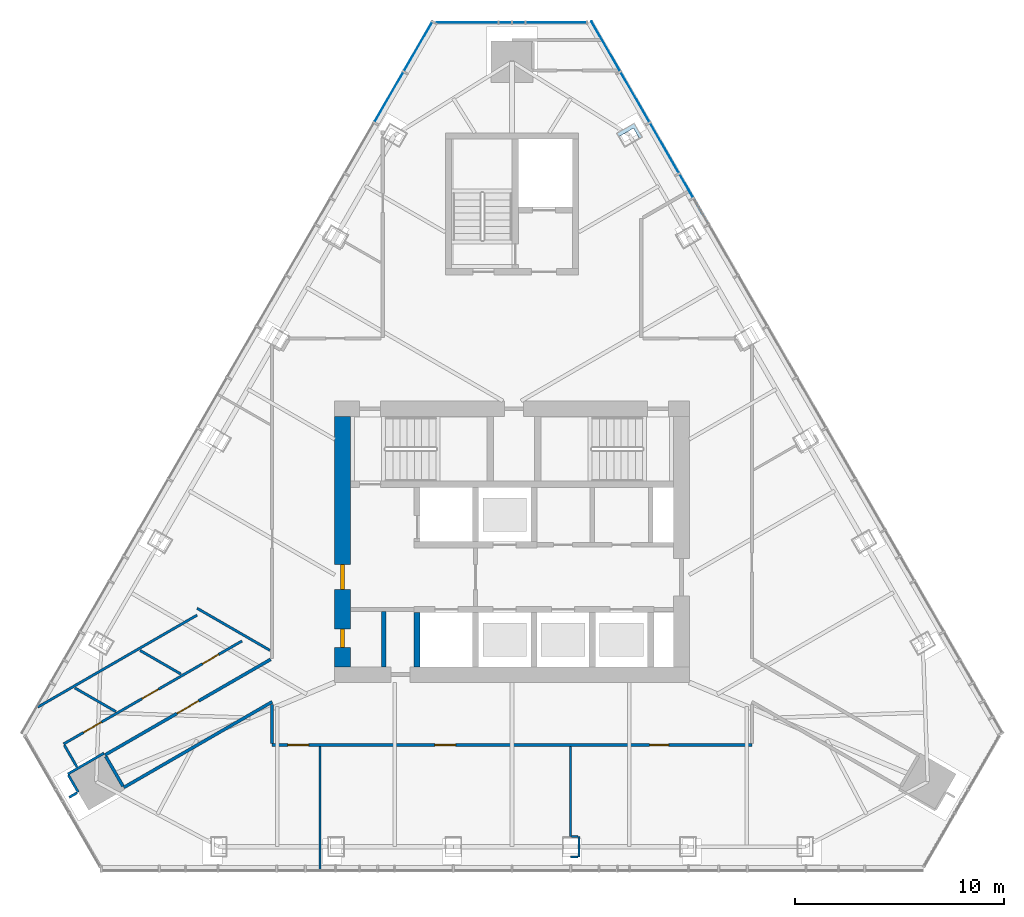
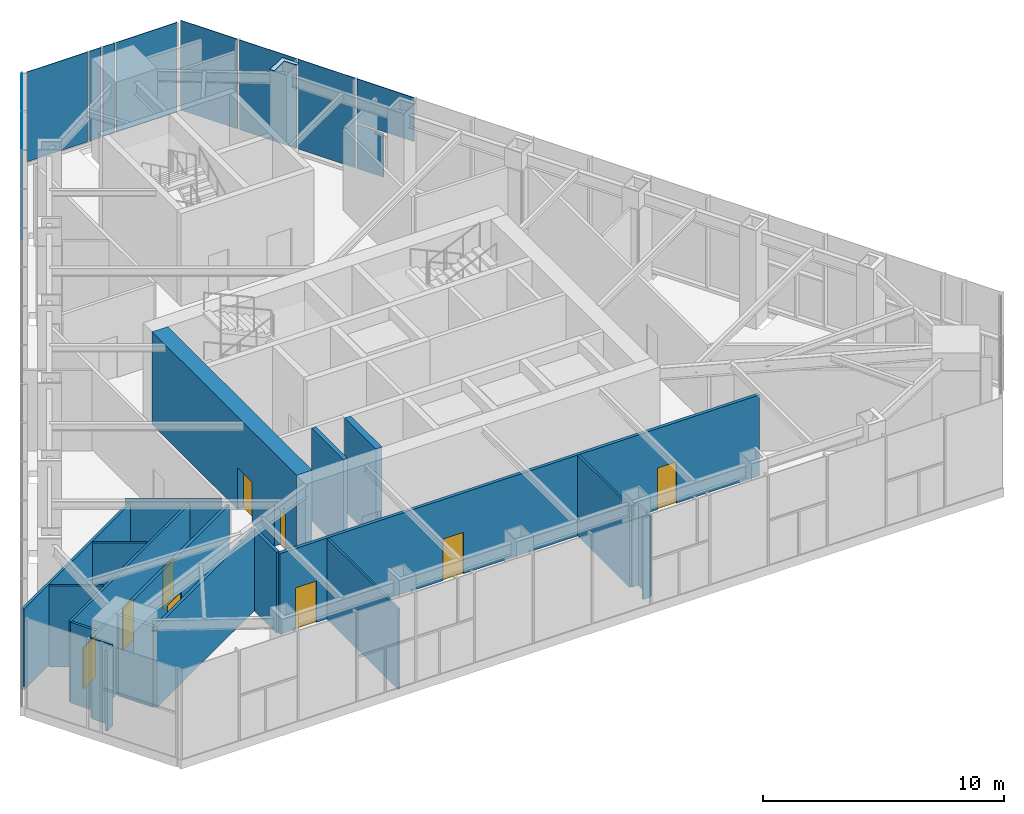
# One storey, part 11 of 17: 22 walls, 12 plates, 9 doors, 9 openings, 3 elements without a shape of their own.
"""IFC4 building model written with IfcOpenShell, lengths in metres."""

from ifc_helpers import new_model, si_unit, direction, frame, frame_2d, origin, place, context, subcontext, project, spatial, polyline, rectangle, outline, extrude, material, layer, layer_set, type_object, element, fill, aggregate, save


model = new_model("IFC4")

# Units and contexts
model_context = context("Model", 3, precision=1e-05, world=origin(), true_north=direction((0.0, 1.0)))
body_context = subcontext(model_context, "Body", "Model", "MODEL_VIEW")
ifc_project = project(units=[si_unit("LENGTHUNIT", "METRE"), si_unit("AREAUNIT", "SQUARE_METRE"), si_unit("VOLUMEUNIT", "CUBIC_METRE"), si_unit("PLANEANGLEUNIT", "RADIAN"), si_unit("MASSUNIT", "GRAM", prefix="KILO")], contexts=[model_context])

# Site, building, storey
site_placement = place(None, origin())
site = spatial("IfcSite", under=ifc_project, at=site_placement, CompositionType="ELEMENT")
building_placement = place(site_placement, origin())
building = spatial("IfcBuilding", under=site, at=building_placement, Name="Firuza Gate Tower and Library", CompositionType="ELEMENT")
storey_placement = place(building_placement, frame((0.0, 0.0, 326.60009765625)))
storey = spatial("IfcBuildingStorey", under=building, at=storey_placement, Name="L80", CompositionType="ELEMENT", Elevation=326.60009765625)

# Plate
ifc_material_1 = material(Name="Steel S355", Category="steel")
ifc_layer_1 = layer(ifc_material_1, 0.030029296875)
ifc_layer_set_1 = layer_set([ifc_layer_1], Name="Column infill plate 30 Steel S355")
plate_type_1 = type_object("IfcPlateType", Name="Column infill plate 30 Steel S355", PredefinedType="SHEET", material=ifc_layer_set_1)
plate_1_placement = place(storey_placement, frame((0.0, 0.0, 5.0)))
element("IfcPlate", 1, at=plate_1_placement, inside=storey, type_object=plate_type_1, Name="Infill plate L80:E6", PredefinedType="SHEET", context=body_context, shape_type="SweptSolid", body=[
    extrude(outline(polyline([(80.0009765625, 94.592041015625), (80.105712890625, 94.410400390625), (80.824951171875, 94.825927734375), (81.120361328125, 94.314453125), (81.266845703125, 94.399169921875), (80.866943359375, 95.092041015625), (80.0009765625, 94.592041015625)])), origin(), (0.0, 0.0, 1.0), 0.02978515625),
])

# Curtain wall, plates
ifc_material_2 = material(Name="Aluminium 6063-T6", Category="aluminium")
ifc_layer_2 = layer(ifc_material_2, 0.14990234375)
ifc_layer_set_2 = layer_set([ifc_layer_2], Name="Corner curtain wall, chamfers")
curtain_wall_type_1 = type_object("IfcCurtainWallType", Name="Corner curtain wall, chamfers", PredefinedType="NOTDEFINED", material=ifc_layer_set_2)
placement = place(storey_placement, origin())
curtain_wall_1 = element("IfcCurtainWall", 2, at=placement, inside=storey, type_object=curtain_wall_type_1, Name="CW4 L80 N corner", PredefinedType="NOTDEFINED")
ifc_material_3 = material(Name="Fritted glass", Category="glass")
ifc_layer_3 = layer(ifc_material_3, 0.030029296875)
ifc_layer_set_3 = layer_set([ifc_layer_3], Name="Fritted glass unit, corners")
plate_type_2 = type_object("IfcPlateType", Name="Fritted glass unit, corners", PredefinedType="CURTAIN_PANEL", material=ifc_layer_set_3)
plate_2_placement = place(storey_placement, frame((75.60986328125, 99.908447265625, 0.14990234375), z_axis=(0.0, 1.0, 0.0), x_axis=(-1.0, 0.0, 0.0)))
plate_2 = element("IfcPlate", 3, at=plate_2_placement, type_object=plate_type_2, Name="Glass unit", PredefinedType="CURTAIN_PANEL", context=body_context, shape_type="SweptSolid", body=[
    extrude(outline(polyline([(0.0, 0.0), (0.56982421875, 0.0), (0.56982421875, 4.550048828125), (0.0, 4.550048828125), (0.0, 0.0)])), origin(), (0.0, 0.0, -1.0), 0.030029296875),
])
plate_3_placement = place(storey_placement, frame((74.9599609375, 99.908447265625, 0.14990234375), z_axis=(0.0, 1.0, 0.0), x_axis=(-1.0, 0.0, 0.0)))
plate_3 = element("IfcPlate", 4, at=plate_3_placement, type_object=plate_type_2, Name="Glass unit", PredefinedType="CURTAIN_PANEL", context=body_context, shape_type="SweptSolid", body=[
    extrude(outline(polyline([(0.0, 0.0), (0.56982421875, 0.0), (0.56982421875, 4.550048828125), (0.0, 4.550048828125), (0.0, 0.0)])), origin(), (0.0, 0.0, -1.0), 0.030029296875),
])
ifc_material_4 = material(Name="Glazed ceramic tile")
ifc_layer_4 = layer(ifc_material_4, 0.030029296875)
ifc_layer_set_4 = layer_set([ifc_layer_4], Name="Opaque ceramic panel, corners")
plate_type_3 = type_object("IfcPlateType", Name="Opaque ceramic panel, corners", PredefinedType="CURTAIN_PANEL", material=ifc_layer_set_4)
plate_4_placement = place(storey_placement, frame((78.603271484375, 99.908447265625, 0.14990234375), z_axis=(0.0, 1.0, 0.0), x_axis=(-1.0, 0.0, 0.0)))
plate_4 = element("IfcPlate", 5, at=plate_4_placement, type_object=plate_type_3, Name="Opaque ceramic panel", PredefinedType="CURTAIN_PANEL", context=body_context, shape_type="SweptSolid", body=[
    extrude(outline(polyline([(0.0, 0.0), (2.913330078125, 0.0), (2.913330078125, 4.550048828125), (0.0, 4.550048828125), (0.0, 0.0)])), origin(), (0.0, 0.0, -1.0), 0.030029296875),
])
plate_5_placement = place(storey_placement, frame((74.31005859375, 99.908447265625, 0.14990234375), z_axis=(0.0, 1.0, 0.0), x_axis=(-1.0, 0.0, 0.0)))
plate_5 = element("IfcPlate", 6, at=plate_5_placement, type_object=plate_type_3, Name="Opaque ceramic panel", PredefinedType="CURTAIN_PANEL", context=body_context, shape_type="SweptSolid", body=[
    extrude(outline(polyline([(0.0, 0.0), (2.913330078125, 0.0), (2.913330078125, 4.550048828125), (0.0, 4.550048828125), (0.0, 0.0)])), origin(), (0.0, 0.0, -1.0), 0.030029296875),
])
aggregate(curtain_wall_1, [plate_4, plate_2, plate_3, plate_5])

ifc_material_5 = material(Name="Aluminium 6063-T6", Category="aluminium")
ifc_layer_5 = layer(ifc_material_5, 0.14990234375)
ifc_layer_set_5 = layer_set([ifc_layer_5], Name="Unitised curtain wall, residences")
curtain_wall_type_2 = type_object("IfcCurtainWallType", Name="Unitised curtain wall, residences", PredefinedType="NOTDEFINED", material=ifc_layer_set_5)
curtain_wall_2 = element("IfcCurtainWall", 7, at=placement, inside=storey, type_object=curtain_wall_type_2, Name="CW3 L80 E face", PredefinedType="NOTDEFINED")
ifc_material_6 = material(Name="Glazed ceramic tile")
ifc_layer_6 = layer(ifc_material_6, 0.030029296875)
ifc_layer_set_6 = layer_set([ifc_layer_6], Name="Opaque ceramic panel, residences")
plate_type_4 = type_object("IfcPlateType", Name="Opaque ceramic panel, residences", PredefinedType="CURTAIN_PANEL", material=ifc_layer_set_6)
plate_6_placement = place(storey_placement, frame((83.694091796875, 91.515380859375, 0.14990234375), z_axis=(0.865973168852, 0.500090462645, 0.0), x_axis=(-0.500090462645, 0.865973168852, 0.0)))
plate_6 = element("IfcPlate", 8, at=plate_6_placement, type_object=plate_type_4, Name="Opaque ceramic panel", PredefinedType="CURTAIN_PANEL", context=body_context, shape_type="SweptSolid", body=[
    extrude(outline(polyline([(0.0, 0.0), (1.2824828101748031, 0.0), (1.2824828101748031, 2.235107421875), (0.0, 2.235107421875), (0.0, 0.0)])), origin(), (0.0, 0.0, -1.0), 0.030029296875),
])
plate_7_placement = place(storey_placement, frame((84.422607421875, 90.25341796875, 2.46484375), z_axis=(0.866013438122, 0.500020724563, 0.0), x_axis=(-0.500020724563, 0.866013438122, 0.0)))
plate_7 = element("IfcPlate", 9, at=plate_7_placement, type_object=plate_type_4, Name="Opaque ceramic panel", PredefinedType="CURTAIN_PANEL", context=body_context, shape_type="SweptSolid", body=[
    extrude(outline(polyline([(0.0, 0.0), (2.7396325383765565, 0.0), (2.7396325383765565, 2.235107421875), (0.0, 2.235107421875), (0.0, 0.0)])), origin(), (0.0, 0.0, -1.0), 0.030029296875),
])
plate_8_placement = place(storey_placement, frame((83.0126953125, 92.695068359375, 0.14990234375), z_axis=(0.866052025982, 0.499953886166, 0.0), x_axis=(-0.499953886166, 0.866052025982, 0.0)))
plate_8 = element("IfcPlate", 10, at=plate_8_placement, type_object=plate_type_4, Name="Opaque ceramic panel", PredefinedType="CURTAIN_PANEL", context=body_context, shape_type="SweptSolid", body=[
    extrude(outline(polyline([(0.0, 0.0), (2.739510471163151, 0.0), (2.739510471163151, 4.550048828125), (0.0, 4.550048828125), (0.0, 0.0)])), origin(), (0.0, 0.0, -1.0), 0.030029296875),
])
plate_9_placement = place(storey_placement, frame((81.60302734375, 95.136962890625, 0.14990234375), z_axis=(0.866013438122, 0.500020724563, 0.0), x_axis=(-0.500020724563, 0.866013438122, 0.0)))
plate_9 = element("IfcPlate", 11, at=plate_9_placement, type_object=plate_type_4, Name="Opaque ceramic panel", PredefinedType="CURTAIN_PANEL", context=body_context, shape_type="SweptSolid", body=[
    extrude(outline(polyline([(0.0, 0.0), (2.739632538376557, 0.0), (2.739632538376557, 4.550048828125001), (0.0, 4.550048828125001), (0.0, 0.0)])), origin(), (0.0, 0.0, -1.0), 0.030029296875),
])
plate_10_placement = place(storey_placement, frame((80.193359375, 97.57861328125, 0.14990234375), z_axis=(0.866013438122, 0.500020724563, 0.0), x_axis=(-0.500020724563, 0.866013438122, 0.0)))
plate_10 = element("IfcPlate", 12, at=plate_10_placement, type_object=plate_type_4, Name="Opaque ceramic panel", PredefinedType="CURTAIN_PANEL", context=body_context, shape_type="SweptSolid", body=[
    extrude(outline(polyline([(0.0, 0.0), (2.739632538376557, 0.0), (2.739632538376557, 4.550048828125001), (0.0, 4.550048828125001), (0.0, 0.0)])), origin(), (0.0, 0.0, -1.0), 0.030029296875),
])
aggregate(curtain_wall_2, [plate_6, plate_7, plate_8, plate_9, plate_10])

curtain_wall_3 = element("IfcCurtainWall", 13, at=placement, inside=storey, type_object=curtain_wall_type_2, Name="CW3 L80 W face", PredefinedType="NOTDEFINED")
plate_11_placement = place(storey_placement, frame((71.176513671875, 99.951171875, 0.14990234375), z_axis=(-0.866013438122, 0.500020724563, 0.0), x_axis=(-0.500020724563, -0.866013438122, 0.0)))
plate_11 = element("IfcPlate", 14, at=plate_11_placement, type_object=plate_type_4, Name="Opaque ceramic panel", PredefinedType="CURTAIN_PANEL", context=body_context, shape_type="SweptSolid", body=[
    extrude(outline(polyline([(0.0, 0.0), (2.739632538376557, 0.0), (2.739632538376557, 4.550048828125001), (0.0, 4.550048828125001), (0.0, 0.0)])), origin(), (0.0, 0.0, -1.0), 0.030029296875),
])
plate_12_placement = place(storey_placement, frame((69.766845703125, 97.509521484375, 0.14990234375), z_axis=(-0.866013438122, 0.500020724563, 0.0), x_axis=(-0.500020724563, -0.866013438122, 0.0)))
plate_12 = element("IfcPlate", 15, at=plate_12_placement, type_object=plate_type_4, Name="Opaque ceramic panel", PredefinedType="CURTAIN_PANEL", context=body_context, shape_type="SweptSolid", body=[
    extrude(outline(polyline([(0.0, 0.0), (2.739632538376557, 0.0), (2.739632538376557, 4.550048828125001), (0.0, 4.550048828125001), (0.0, 0.0)])), origin(), (0.0, 0.0, -1.0), 0.030029296875),
])
aggregate(curtain_wall_3, [plate_11, plate_12])

# Walls
ifc_material_7 = material(Name="Plasterboard on steel studs", Category="steel")
ifc_layer_7 = layer(ifc_material_7, 0.199951171875)
ifc_layer_set_7 = layer_set([ifc_layer_7], Name="Core partition 200 EI 120")
wall_type_1 = type_object("IfcWallType", Name="Core partition 200 EI 120", PredefinedType="PARTITIONING", material=ifc_layer_set_7)
wall_1_placement = place(storey_placement, frame((68.85009765625, 69.0, 0.0), z_axis=(0.0, 0.0, 1.0), x_axis=(0.0, 1.0, 0.0)))
element("IfcWall", 16, at=wall_1_placement, inside=storey, type_object=wall_type_1, Name="Core partition L80 4", PredefinedType="PARTITIONING", context=body_context, shape_type="SweptSolid", body=[
    extrude(rectangle(XDim=2.64990234375, YDim=0.199951171875, at=frame_2d((1.324951171875, 0.0))), origin(), (0.0, 0.0, 1.0), 4.699951171875),
])
ifc_material_8 = material(Name="Concrete C60/75", Category="concrete")
ifc_layer_8 = layer(ifc_material_8, 0.300048828125)
ifc_layer_set_8 = layer_set([ifc_layer_8], Name="Core wall 300 C60/75")
wall_type_2 = type_object("IfcWallType", Name="Core wall 300 C60/75", PredefinedType="SHEAR", material=ifc_layer_set_8)
wall_2_placement = place(storey_placement, frame((70.449951171875, 69.0, 0.0), z_axis=(0.0, 0.0, 1.0), x_axis=(0.0, 1.0, 0.0)))
element("IfcWall", 17, at=wall_2_placement, inside=storey, type_object=wall_type_2, Name="Core wall L80 7", PredefinedType="SHEAR", context=body_context, shape_type="SweptSolid", body=[
    extrude(rectangle(XDim=2.60009765625, YDim=0.300048828125, at=frame_2d((1.300048828125, 0.0))), origin(), (0.0, 0.0, 1.0), 4.699951171875),
])

# Wall, openings, doors
ifc_material_9 = material(Name="Concrete C60/75", Category="concrete")
ifc_layer_9 = layer(ifc_material_9, 0.75)
ifc_layer_set_9 = layer_set([ifc_layer_9], Name="Core wall 750 C60/75")
wall_type_3 = type_object("IfcWallType", Name="Core wall 750 C60/75", PredefinedType="SHEAR", material=ifc_layer_set_9)
wall_3_placement = place(storey_placement, frame((66.875, 69.0, 0.0), z_axis=(0.0, 0.0, 1.0), x_axis=(0.0, 1.0, 0.0)))
wall_3 = element("IfcWall", 18, at=wall_3_placement, inside=storey, type_object=wall_type_3, Name="Core wall L80 3", PredefinedType="SHEAR", context=body_context, shape_type="SweptSolid", body=[
    extrude(rectangle(XDim=12.0, YDim=0.75, at=frame_2d((6.0, 0.0))), origin(), (0.0, 0.0, 1.0), 4.699951171875),
])
opening_1_placement = place(wall_3_placement, frame((3.699951171875, 0.0, 0.0)))
opening_1 = element("IfcOpeningElement", 19, at=opening_1_placement, cuts=wall_3, Name="Opening L80-K15", PredefinedType="OPENING", context=body_context, shape_type="SweptSolid", body=[
    extrude(rectangle(XDim=1.199951171875, YDim=2.10009765625, at=frame_2d((0.60009765625, 1.050048828125))), frame((0.0, 0.385009765625, 0.0), z_axis=(0.0, -1.0, 0.0), x_axis=(1.0, 0.0, 0.0)), (0.0, 0.0, 1.0), 0.77001953125),
])
opening_2_placement = place(wall_3_placement, frame((0.925048828125, 0.0, 0.0)))
opening_2 = element("IfcOpeningElement", 20, at=opening_2_placement, cuts=wall_3, Name="Opening L80-K17", PredefinedType="OPENING", context=body_context, shape_type="SweptSolid", body=[
    extrude(rectangle(XDim=0.89990234375, YDim=2.10009765625, at=frame_2d((0.449951171875, 1.050048828125))), frame((0.0, 0.385009765625, 0.0), z_axis=(0.0, -1.0, 0.0), x_axis=(1.0, 0.0, 0.0)), (0.0, 0.0, 1.0), 0.77001953125),
])
ifc_material_10 = material(Name="Steel", Category="steel")
door_type_1 = type_object("IfcDoorType", Name="Fire door 1200x2100 FD90S", OperationType="NOTDEFINED", PredefinedType="DOOR", material=ifc_material_10)
door_1_placement = place(opening_1_placement, origin())
door_1 = element("IfcDoor", 21, at=door_1_placement, inside=storey, type_object=door_type_1, Name="Door L80-K15", OperationType="SINGLE_SWING_RIGHT", OverallHeight=2.10009765625, OverallWidth=1.199951171875, PredefinedType="DOOR", context=body_context, shape_type="SweptSolid", body=[
    extrude(rectangle(XDim=1.199951171875, YDim=2.10009765625, at=frame_2d((0.60009765625, 1.050048828125))), frame((0.0, 0.094970703125, 0.0), z_axis=(0.0, -1.0, 0.0), x_axis=(1.0, 0.0, 0.0)), (0.0, 0.0, 1.0), 0.18994140625),
])
fill(opening_1, door_1)
ifc_material_11 = material(Name="Steel", Category="steel")
door_type_2 = type_object("IfcDoorType", Name="Fire door 900x2100 FD30S", OperationType="NOTDEFINED", PredefinedType="DOOR", material=ifc_material_11)
door_2_placement = place(opening_2_placement, origin())
door_2 = element("IfcDoor", 22, at=door_2_placement, inside=storey, type_object=door_type_2, Name="Door L80-K17", OperationType="SINGLE_SWING_RIGHT", OverallHeight=2.10009765625, OverallWidth=0.89990234375, PredefinedType="DOOR", context=body_context, shape_type="SweptSolid", body=[
    extrude(rectangle(XDim=0.89990234375, YDim=2.10009765625, at=frame_2d((0.449951171875, 1.050048828125))), frame((0.0, 0.094970703125, 0.0), z_axis=(0.0, -1.0, 0.0), x_axis=(1.0, 0.0, 0.0)), (0.0, 0.0, 1.0), 0.18994140625),
])
fill(opening_2, door_2)

ifc_material_12 = material(Name="Gypsum board partition")
ifc_layer_10 = layer(ifc_material_12, 0.14990234375)
ifc_layer_set_10 = layer_set([ifc_layer_10], Name="Corridor wall 150 double board on steel studs")
wall_type_4 = type_object("IfcWallType", Name="Corridor wall 150 double board on steel studs", PredefinedType="PARTITIONING", material=ifc_layer_set_10)
wall_4_placement = place(storey_placement, frame((86.49951171875, 65.25, 0.0), z_axis=(0.0, 0.0, 1.0), x_axis=(-1.0, 0.0, 0.0)))
wall_4 = element("IfcWall", 23, at=wall_4_placement, inside=storey, type_object=wall_type_4, Name="f:L80:w002", PredefinedType="PARTITIONING", context=body_context, shape_type="SweptSolid", body=[
    extrude(rectangle(XDim=22.9990234375, YDim=0.14990234375, at=frame_2d((11.49951171875, 0.0))), origin(), (0.0, 0.0, 1.0), 4.099853515625),
])
opening_3_placement = place(wall_4_placement, frame((3.99462890625, 0.0, 0.0)))
opening_3 = element("IfcOpeningElement", 24, at=opening_3_placement, cuts=wall_4, Name="Opening L80-01", PredefinedType="OPENING", context=body_context, shape_type="SweptSolid", body=[
    extrude(rectangle(XDim=0.89990234375, YDim=2.10009765625, at=frame_2d((0.449951171875, 1.050048828125))), frame((0.0, 0.0849609375, 0.0), z_axis=(0.0, -1.0, 0.0), x_axis=(1.0, 0.0, 0.0)), (0.0, 0.0, 1.0), 0.169921875),
])
opening_4_placement = place(wall_4_placement, frame((14.19775390625, 0.0, 0.0)))
opening_4 = element("IfcOpeningElement", 25, at=opening_4_placement, cuts=wall_4, Name="Opening L80-02", PredefinedType="OPENING", context=body_context, shape_type="SweptSolid", body=[
    extrude(rectangle(XDim=1.0, YDim=2.10009765625, at=frame_2d((0.5, 1.050048828125))), frame((0.0, 0.0849609375, 0.0), z_axis=(0.0, -1.0, 0.0), x_axis=(1.0, 0.0, 0.0)), (0.0, 0.0, 1.0), 0.169921875),
])
opening_5_placement = place(wall_4_placement, frame((21.252685546875, 0.0, 0.0)))
opening_5 = element("IfcOpeningElement", 26, at=opening_5_placement, cuts=wall_4, Name="Opening L80-03", PredefinedType="OPENING", context=body_context, shape_type="SweptSolid", body=[
    extrude(rectangle(XDim=1.0, YDim=2.10009765625, at=frame_2d((0.5, 1.050048828125))), frame((0.0, 0.0849609375, 0.0), z_axis=(0.0, -1.0, 0.0), x_axis=(1.0, 0.0, 0.0)), (0.0, 0.0, 1.0), 0.169921875),
])
ifc_material_13 = material(Name="Steel door and timber leaf", Category="steel")
door_type_3 = type_object("IfcDoorType", Name="Fire door 1000 x 2100 steel frame, timber leaf", OperationType="NOTDEFINED", PredefinedType="DOOR", material=ifc_material_13)
door_3_placement = place(opening_4_placement, origin())
door_3 = element("IfcDoor", 27, at=door_3_placement, inside=storey, type_object=door_type_3, Name="f:L80:d002", OperationType="SINGLE_SWING_LEFT", OverallHeight=2.10009765625, OverallWidth=1.0, PredefinedType="DOOR", context=body_context, shape_type="SweptSolid", body=[
    extrude(rectangle(XDim=1.0, YDim=2.10009765625, at=frame_2d((0.5, 1.050048828125))), frame((0.0, 0.02490234375, 0.0), z_axis=(0.0, -1.0, 0.0), x_axis=(1.0, 0.0, 0.0)), (0.0, 0.0, 1.0), 0.050048828125),
])
fill(opening_4, door_3)
door_4_placement = place(opening_5_placement, origin())
door_4 = element("IfcDoor", 28, at=door_4_placement, inside=storey, type_object=door_type_3, Name="f:L80:d003", OperationType="SINGLE_SWING_RIGHT", OverallHeight=2.10009765625, OverallWidth=1.0, PredefinedType="DOOR", context=body_context, shape_type="SweptSolid", body=[
    extrude(rectangle(XDim=1.0, YDim=2.10009765625, at=frame_2d((0.5, 1.050048828125))), frame((0.0, 0.02490234375, 0.0), z_axis=(0.0, -1.0, 0.0), x_axis=(1.0, 0.0, 0.0)), (0.0, 0.0, 1.0), 0.050048828125),
])
fill(opening_5, door_4)
ifc_material_14 = material(Name="Steel door and timber leaf", Category="steel")
door_type_4 = type_object("IfcDoorType", Name="Fire door 900 x 2100 steel frame, timber leaf", OperationType="NOTDEFINED", PredefinedType="DOOR", material=ifc_material_14)
door_5_placement = place(opening_3_placement, origin())
door_5 = element("IfcDoor", 29, at=door_5_placement, inside=storey, type_object=door_type_4, Name="f:L80:d001", OperationType="SINGLE_SWING_RIGHT", OverallHeight=2.10009765625, OverallWidth=0.89990234375, PredefinedType="DOOR", context=body_context, shape_type="SweptSolid", body=[
    extrude(rectangle(XDim=0.89990234375, YDim=2.10009765625, at=frame_2d((0.449951171875, 1.050048828125))), frame((0.0, 0.02490234375, 0.0), z_axis=(0.0, -1.0, 0.0), x_axis=(1.0, 0.0, 0.0)), (0.0, 0.0, 1.0), 0.050048828125),
])
fill(opening_3, door_5)

# Wall
wall_5_placement = place(storey_placement, frame((56.3818359375, 63.211669921875, 0.0), z_axis=(0.0, 0.0, 1.0), x_axis=(0.866028290602, 0.499994999852, 0.0)))
element("IfcWall", 30, at=wall_5_placement, inside=storey, type_object=wall_type_4, Name="f:L80:w009", PredefinedType="PARTITIONING", context=body_context, shape_type="SweptSolid", body=[
    extrude(rectangle(XDim=8.21923828125, YDim=0.14990234375, at=frame_2d((4.109619140625, 0.0))), origin(), (0.0, 0.0, 1.0), 4.096923828125),
])

# Wall, opening, door
wall_6_placement = place(storey_placement, frame((55.4814453125, 64.770263671875, 0.0), z_axis=(0.0, 0.0, 1.0), x_axis=(0.866028235655, 0.499995095024, 0.0)))
wall_6 = element("IfcWall", 31, at=wall_6_placement, inside=storey, type_object=wall_type_4, Name="f:L80:w011", PredefinedType="PARTITIONING", context=body_context, shape_type="SweptSolid", body=[
    extrude(rectangle(XDim=9.17236328125, YDim=0.14990234375, at=frame_2d((4.586181640625, 0.0))), origin(), (0.0, 0.0, 1.0), 4.099853515625),
])
opening_6_placement = place(wall_6_placement, frame((3.986083984375, 0.0, 0.0)))
opening_6 = element("IfcOpeningElement", 32, at=opening_6_placement, cuts=wall_6, Name="Opening L80-07", PredefinedType="OPENING", context=body_context, shape_type="SweptSolid", body=[
    extrude(rectangle(XDim=1.199951171875, YDim=2.10009765625, at=frame_2d((0.60009765625, 1.050048828125))), frame((0.0, 0.0849609375, 0.0), z_axis=(0.0, -1.0, 0.0), x_axis=(1.0, 0.0, 0.0)), (0.0, 0.0, 1.0), 0.169921875),
])
ifc_material_15 = material(Name="Steel door and timber leaf", Category="steel")
door_type_5 = type_object("IfcDoorType", Name="Fire door 1200 x 2100 steel frame, double leaf", OperationType="NOTDEFINED", PredefinedType="DOOR", material=ifc_material_15)
door_6_placement = place(opening_6_placement, origin())
door_6 = element("IfcDoor", 33, at=door_6_placement, inside=storey, type_object=door_type_5, Name="f:L80:d007", OperationType="DOUBLE_DOOR_SINGLE_SWING", OverallHeight=2.10009765625, OverallWidth=1.199951171875, PredefinedType="DOOR", context=body_context, shape_type="SweptSolid", body=[
    extrude(rectangle(XDim=1.199951171875, YDim=2.10009765625, at=frame_2d((0.60009765625, 1.050048828125))), frame((0.0, 0.02490234375, 0.0), z_axis=(0.0, -1.0, 0.0), x_axis=(1.0, 0.0, 0.0)), (0.0, 0.0, 1.0), 0.050048828125),
])
fill(opening_6, door_6)

# Walls
wall_7_placement = place(storey_placement, frame((63.5, 65.325439453125, 0.0), z_axis=(0.0, 0.0, 1.0), x_axis=(0.0, 1.0, 0.0)))
element("IfcWall", 34, at=wall_7_placement, inside=storey, type_object=wall_type_4, Name="f:L80:w031", PredefinedType="PARTITIONING", context=body_context, shape_type="SweptSolid", body=[
    extrude(rectangle(XDim=1.859130859375, YDim=0.14990234375, at=frame_2d((0.9296875, 0.0))), origin(), (0.0, 0.0, 1.0), 4.096923828125),
])
wall_8_placement = place(storey_placement, frame((56.34423828125, 63.277099609375, 0.0), z_axis=(0.0, 0.0, 1.0), x_axis=(-0.500035172766, 0.866005095826, 0.0)))
element("IfcWall", 35, at=wall_8_placement, inside=storey, type_object=wall_type_4, Name="f:L80:w036", PredefinedType="PARTITIONING", context=body_context, shape_type="SweptSolid", body=[
    extrude(rectangle(XDim=1.64453125, YDim=0.14990234375, at=frame_2d((0.822265625, 0.0))), origin(), (0.0, 0.0, 1.0), 4.096923828125),
])
ifc_material_16 = material(Name="Gypsum board partition")
ifc_layer_11 = layer(ifc_material_16, 0.10009765625)
ifc_layer_set_11 = layer_set([ifc_layer_11], Name="Partition 100 gypsum board on steel studs")
wall_type_5 = type_object("IfcWallType", Name="Partition 100 gypsum board on steel studs", PredefinedType="PARTITIONING", material=ifc_layer_set_11)
wall_9_placement = place(storey_placement, frame((77.813232421875, 59.873046875, 0.0), z_axis=(0.0, 0.0, 1.0), x_axis=(1.0, 0.0, 0.0)))
element("IfcWall", 36, at=wall_9_placement, inside=storey, type_object=wall_type_5, Name="f:L80:w000", PredefinedType="PARTITIONING", context=body_context, shape_type="SweptSolid", body=[
    extrude(rectangle(XDim=0.349609375, YDim=0.10009765625, at=frame_2d((0.1748046875, 0.0))), origin(), (0.0, 0.0, 1.0), 4.099853515625),
])
wall_10_placement = place(storey_placement, frame((77.86328125, 60.873046875, 0.0), z_axis=(0.0, 0.0, 1.0), x_axis=(1.0, 0.0, 0.0)))
element("IfcWall", 37, at=wall_10_placement, inside=storey, type_object=wall_type_5, Name="f:L80:w001", PredefinedType="PARTITIONING", context=body_context, shape_type="SweptSolid", body=[
    extrude(rectangle(XDim=0.299560546875, YDim=0.10009765625, at=frame_2d((0.14990234375, 0.0))), origin(), (0.0, 0.0, 1.0), 4.099853515625),
])
wall_11_placement = place(storey_placement, frame((78.212890625, 59.87353515625, 0.0), z_axis=(0.0, 0.0, 1.0), x_axis=(0.0, 1.0, 0.0)))
element("IfcWall", 38, at=wall_11_placement, inside=storey, type_object=wall_type_5, Name="f:L80:w025", PredefinedType="PARTITIONING", context=body_context, shape_type="SweptSolid", body=[
    extrude(rectangle(XDim=0.9990234375, YDim=0.10009765625, at=frame_2d((0.49951171875, 0.0))), origin(), (0.0, 0.0, 1.0), 4.087890625),
])
wall_12_placement = place(storey_placement, frame((77.81298828125, 60.873046875, 0.0), z_axis=(0.0, 0.0, 1.0), x_axis=(0.0, 1.0, 0.0)))
element("IfcWall", 39, at=wall_12_placement, inside=storey, type_object=wall_type_5, Name="f:L80:w026", PredefinedType="PARTITIONING", context=body_context, shape_type="SweptSolid", body=[
    extrude(rectangle(XDim=4.302001953125, YDim=0.10009765625, at=frame_2d((2.15087890625, 0.0))), origin(), (0.0, 0.0, 1.0), 4.099853515625),
])
wall_13_placement = place(storey_placement, frame((65.7900390625, 59.273193359375, 0.0), z_axis=(0.0, 0.0, 1.0), x_axis=(0.0, 1.0, 0.0)))
element("IfcWall", 40, at=wall_13_placement, inside=storey, type_object=wall_type_5, Name="f:L80:w030", PredefinedType="PARTITIONING", context=body_context, shape_type="SweptSolid", body=[
    extrude(rectangle(XDim=5.90185546875, YDim=0.10009765625, at=frame_2d((2.950927734375, 0.0))), origin(), (0.0, 0.0, 1.0), 4.087890625),
])
ifc_material_17 = material(Name="Gypsum board partition")
ifc_layer_12 = layer(ifc_material_17, 0.1201171875)
ifc_layer_set_12 = layer_set([ifc_layer_12], Name="Wet-area partition 120 moisture-resistant board")
wall_type_6 = type_object("IfcWallType", Name="Wet-area partition 120 moisture-resistant board", PredefinedType="PARTITIONING", material=ifc_layer_set_12)
wall_14_placement = place(storey_placement, frame((53.766357421875, 62.740966796875, 0.0), z_axis=(0.0, 0.0, 1.0), x_axis=(0.866083962871, 0.499898558967, 0.0)))
element("IfcWall", 41, at=wall_14_placement, inside=storey, type_object=wall_type_6, Name="f:L80:w010", PredefinedType="PARTITIONING", context=body_context, shape_type="SweptSolid", body=[
    extrude(rectangle(XDim=0.43994140625, YDim=0.1201171875, at=frame_2d((0.219970703125, 0.0))), origin(), (0.0, 0.0, 1.0), 4.099853515625),
])
wall_15_placement = place(storey_placement, frame((53.699462890625, 63.85693359375, 0.0), z_axis=(0.0, 0.0, 1.0), x_axis=(0.866010750942, 0.50002537861, 0.0)))
element("IfcWall", 42, at=wall_15_placement, inside=storey, type_object=wall_type_6, Name="f:L80:w012", PredefinedType="PARTITIONING", context=body_context, shape_type="SweptSolid", body=[
    extrude(rectangle(XDim=2.0, YDim=0.1201171875, at=frame_2d((1.0, 0.0))), origin(), (0.0, 0.0, 1.0), 4.099853515625),
])

# Wall, openings, doors
wall_16_placement = place(storey_placement, frame((62.050048828125, 70.237060546875, 0.0), z_axis=(0.0, 0.0, 1.0), x_axis=(-0.866021674193, -0.500006459787, 0.0)))
wall_16 = element("IfcWall", 43, at=wall_16_placement, inside=storey, type_object=wall_type_6, Name="f:L80:w013", PredefinedType="PARTITIONING", context=body_context, shape_type="SweptSolid", body=[
    extrude(rectangle(XDim=9.871826171875, YDim=0.1201171875, at=frame_2d((4.93603515625, 0.0))), origin(), (0.0, 0.0, 1.0), 4.099853515625),
])
opening_7_placement = place(wall_16_placement, frame((1.28857421875, 0.0, 0.0)))
opening_7 = element("IfcOpeningElement", 44, at=opening_7_placement, cuts=wall_16, Name="Opening L80-08", PredefinedType="OPENING", context=body_context, shape_type="SweptSolid", body=[
    extrude(rectangle(XDim=0.89990234375, YDim=2.10009765625, at=frame_2d((0.449951171875, 1.050048828125))), frame((0.0, 0.070068359375, 0.0), z_axis=(0.0, -1.0, 0.0), x_axis=(1.0, 0.0, 0.0)), (0.0, 0.0, 1.0), 0.14013671875),
])
opening_8_placement = place(wall_16_placement, frame((4.624755859375, 0.0, 0.0)))
opening_8 = element("IfcOpeningElement", 45, at=opening_8_placement, cuts=wall_16, Name="Opening L80-09", PredefinedType="OPENING", context=body_context, shape_type="SweptSolid", body=[
    extrude(rectangle(XDim=0.89990234375, YDim=2.10009765625, at=frame_2d((0.449951171875, 1.050048828125))), frame((0.0, 0.070068359375, 0.0), z_axis=(0.0, -1.0, 0.0), x_axis=(1.0, 0.0, 0.0)), (0.0, 0.0, 1.0), 0.14013671875),
])
opening_9_placement = place(wall_16_placement, frame((7.772216796875, 0.0, 0.0)))
opening_9 = element("IfcOpeningElement", 46, at=opening_9_placement, cuts=wall_16, Name="Opening L80-10", PredefinedType="OPENING", context=body_context, shape_type="SweptSolid", body=[
    extrude(rectangle(XDim=1.0, YDim=2.10009765625, at=frame_2d((0.5, 1.050048828125))), frame((0.0, 0.070068359375, 0.0), z_axis=(0.0, -1.0, 0.0), x_axis=(1.0, 0.0, 0.0)), (0.0, 0.0, 1.0), 0.14013671875),
])
ifc_material_18 = material(Name="Timber door", Category="wood")
door_type_6 = type_object("IfcDoorType", Name="Door 1000 x 2100 timber leaf", OperationType="NOTDEFINED", PredefinedType="DOOR", material=ifc_material_18)
door_7_placement = place(opening_9_placement, origin())
door_7 = element("IfcDoor", 47, at=door_7_placement, inside=storey, type_object=door_type_6, Name="f:L80:d010", OperationType="SINGLE_SWING_RIGHT", OverallHeight=2.10009765625, OverallWidth=1.0, PredefinedType="DOOR", context=body_context, shape_type="SweptSolid", body=[
    extrude(rectangle(XDim=1.0, YDim=2.10009765625, at=frame_2d((0.5, 1.050048828125))), frame((0.0, 0.02490234375, 0.0), z_axis=(0.0, -1.0, 0.0), x_axis=(1.0, 0.0, 0.0)), (0.0, 0.0, 1.0), 0.050048828125),
])
fill(opening_9, door_7)
ifc_material_19 = material(Name="Timber door", Category="wood")
door_type_7 = type_object("IfcDoorType", Name="Door 900 x 2100 timber leaf", OperationType="NOTDEFINED", PredefinedType="DOOR", material=ifc_material_19)
door_8_placement = place(opening_7_placement, origin())
door_8 = element("IfcDoor", 48, at=door_8_placement, inside=storey, type_object=door_type_7, Name="f:L80:d008", OperationType="SINGLE_SWING_RIGHT", OverallHeight=2.10009765625, OverallWidth=0.89990234375, PredefinedType="DOOR", context=body_context, shape_type="SweptSolid", body=[
    extrude(rectangle(XDim=0.89990234375, YDim=2.10009765625, at=frame_2d((0.449951171875, 1.050048828125))), frame((0.0, 0.02490234375, 0.0), z_axis=(0.0, -1.0, 0.0), x_axis=(1.0, 0.0, 0.0)), (0.0, 0.0, 1.0), 0.050048828125),
])
fill(opening_7, door_8)
door_9_placement = place(opening_8_placement, origin())
door_9 = element("IfcDoor", 49, at=door_9_placement, inside=storey, type_object=door_type_7, Name="f:L80:d009", OperationType="SINGLE_SWING_LEFT", OverallHeight=2.10009765625, OverallWidth=0.89990234375, PredefinedType="DOOR", context=body_context, shape_type="SweptSolid", body=[
    extrude(rectangle(XDim=0.89990234375, YDim=2.10009765625, at=frame_2d((0.449951171875, 1.050048828125))), frame((0.0, 0.02490234375, 0.0), z_axis=(0.0, -1.0, 0.0), x_axis=(1.0, 0.0, 0.0)), (0.0, 0.0, 1.0), 0.050048828125),
])
fill(opening_8, door_9)

# Walls
wall_17_placement = place(storey_placement, frame((52.26025390625, 67.067626953125, 0.0), z_axis=(0.0, 0.0, 1.0), x_axis=(0.866030732089, 0.499990770993, 0.0)))
element("IfcWall", 50, at=wall_17_placement, inside=storey, type_object=wall_type_6, Name="f:L80:w015", PredefinedType="PARTITIONING", context=body_context, shape_type="SweptSolid", body=[
    extrude(rectangle(XDim=8.821533203125, YDim=0.1201171875, at=frame_2d((4.41064453125, 0.0))), origin(), (0.0, 0.0, 1.0), 4.099853515625),
])
wall_18_placement = place(storey_placement, frame((54.14111328125, 64.192626953125, 0.0), z_axis=(0.0, 0.0, 1.0), x_axis=(-0.499884134912, 0.866092288191, 0.0)))
element("IfcWall", 51, at=wall_18_placement, inside=storey, type_object=wall_type_6, Name="f:L80:w037", PredefinedType="PARTITIONING", context=body_context, shape_type="SweptSolid", body=[
    extrude(rectangle(XDim=1.219970703125, YDim=0.1201171875, at=frame_2d((0.60986328125, 0.0))), origin(), (0.0, 0.0, 1.0), 4.099853515625),
])
wall_19_placement = place(storey_placement, frame((54.199951171875, 62.990966796875, 0.0), z_axis=(0.0, 0.0, 1.0), x_axis=(-0.499909789979, 0.8660774803, 0.0)))
element("IfcWall", 52, at=wall_19_placement, inside=storey, type_object=wall_type_6, Name="f:L80:w038", PredefinedType="PARTITIONING", context=body_context, shape_type="SweptSolid", body=[
    extrude(rectangle(XDim=0.940185546875, YDim=0.1201171875, at=frame_2d((0.47021484375, 0.0))), origin(), (0.0, 0.0, 1.0), 4.099853515625),
])
wall_20_placement = place(storey_placement, frame((63.39013671875, 69.791259765625, 0.0), z_axis=(0.0, 0.0, 1.0), x_axis=(-0.866020143075, 0.500009111705, 0.0)))
element("IfcWall", 53, at=wall_20_placement, inside=storey, type_object=wall_type_6, Name="f:L80:w047", PredefinedType="PARTITIONING", context=body_context, shape_type="SweptSolid", body=[
    extrude(rectangle(XDim=4.0302734375, YDim=0.1201171875, at=frame_2d((2.01513671875, 0.0))), origin(), (0.0, 0.0, 1.0), 4.099853515625),
])
wall_21_placement = place(storey_placement, frame((59.120361328125, 68.65478515625, 0.0), z_axis=(0.0, 0.0, 1.0), x_axis=(-0.866011396007, 0.500024261398, 0.0)))
element("IfcWall", 54, at=wall_21_placement, inside=storey, type_object=wall_type_6, Name="f:L80:w048", PredefinedType="PARTITIONING", context=body_context, shape_type="SweptSolid", body=[
    extrude(rectangle(XDim=2.26416015625, YDim=0.1201171875, at=frame_2d((1.132080078125, 0.0))), origin(), (0.0, 0.0, 1.0), 4.099853515625),
])
wall_22_placement = place(storey_placement, frame((56.001220703125, 66.854248046875, 0.0), z_axis=(0.0, 0.0, 1.0), x_axis=(-0.866058089564, 0.499943382296, 0.0)))
element("IfcWall", 55, at=wall_22_placement, inside=storey, type_object=wall_type_6, Name="f:L80:w049", PredefinedType="PARTITIONING", context=body_context, shape_type="SweptSolid", body=[
    extrude(rectangle(XDim=2.263916015625, YDim=0.1201171875, at=frame_2d((1.1318359375, 0.0))), origin(), (0.0, 0.0, 1.0), 4.099853515625),
])

save(model, "model.ifc")
